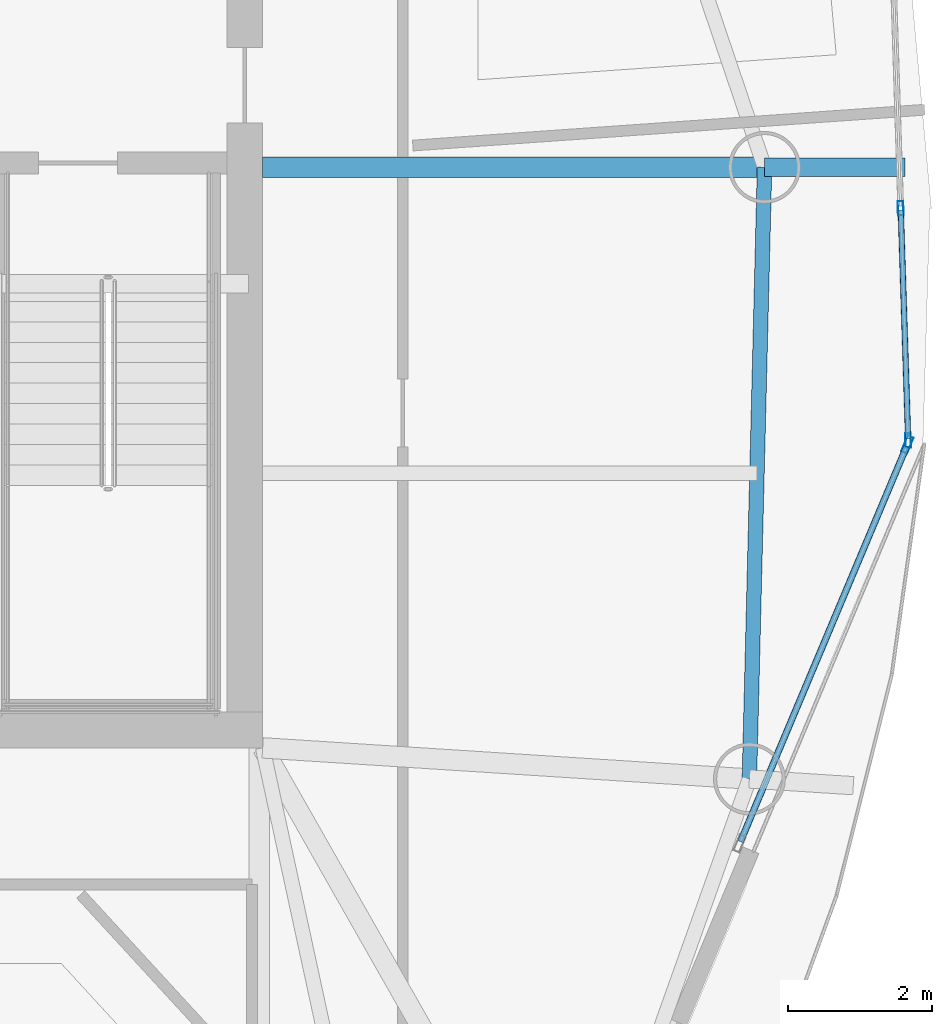
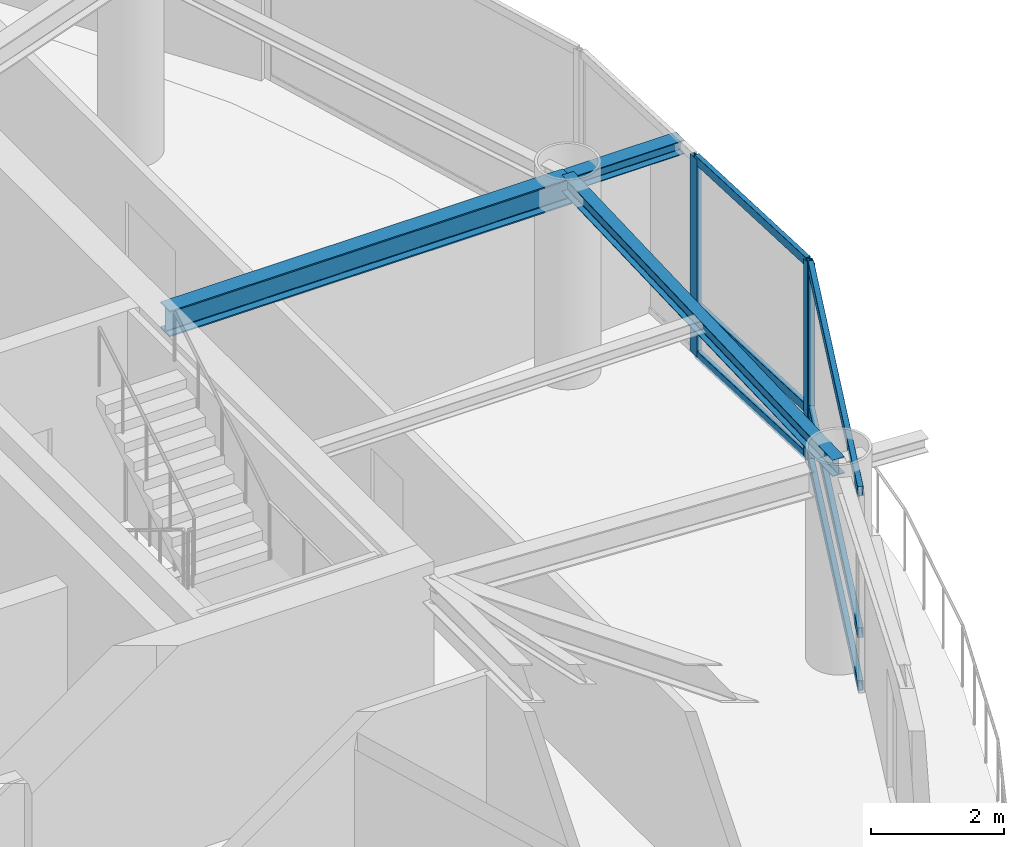
# One storey, part 9 of 23: 9 members, 3 beams, 2 elements without a shape of their own.
"""IFC4 building model written with IfcOpenShell, lengths in metres."""

from ifc_helpers import new_model, si_unit, direction, frame, origin, origin_2d, place, context, subcontext, project, spatial, hollow_rectangle, i_section, extrude, material, layer, layer_set, material_profile, profile_set, type_object, element, aggregate, save


model = new_model("IFC4")

# Units and contexts
model_context = context("Model", 3, precision=1e-05, world=origin(), true_north=direction((0.0, 1.0)))
body_context = subcontext(model_context, "Body", "Model", "MODEL_VIEW")
ifc_project = project(units=[si_unit("LENGTHUNIT", "METRE"), si_unit("AREAUNIT", "SQUARE_METRE"), si_unit("VOLUMEUNIT", "CUBIC_METRE"), si_unit("PLANEANGLEUNIT", "RADIAN"), si_unit("MASSUNIT", "GRAM", prefix="KILO")], contexts=[model_context])

# Site, building, storey
site_placement = place(None, origin())
site = spatial("IfcSite", under=ifc_project, at=site_placement, CompositionType="ELEMENT")
building_placement = place(site_placement, origin())
building = spatial("IfcBuilding", under=site, at=building_placement, Name="Bramvorn Convention Spire", CompositionType="ELEMENT")
storey_placement = place(building_placement, frame((0.0, 0.0, 295.949951171875)))
storey = spatial("IfcBuildingStorey", under=building, at=storey_placement, Name="L75", CompositionType="ELEMENT", Elevation=295.949951171875)

# Beams
ifc_material_1 = material(Name="Steel CSA G40.21 Grade 350 (350W)", Category="steel")
ifc_material_profile_1 = material_profile(ifc_material_1, i_section(OverallWidth=0.25390625, OverallDepth=0.2529296875, WebThickness=0.008544921875, FlangeThickness=0.01416015625, FilletRadius=0.011962890625, at=origin_2d()))
ifc_profile_set_1 = profile_set([ifc_material_profile_1], Name="Steel CSA G40.21 Grade 350 (350W) - W250X73")
beam_type_1 = type_object("IfcBeamType", Name="BM-W250X73", PredefinedType="BEAM", material=ifc_profile_set_1)
beam_1_placement = place(storey_placement, frame((56.234619140625, 26.62939453125, 3.49853515625), z_axis=(1.0, 0.0, 0.0), x_axis=(0.0, 1.0, 0.0)))
element("IfcBeam", 1, at=beam_1_placement, inside=storey, type_object=beam_type_1, Name="L75 slab-edge cantilever tip beam MC04", PredefinedType="BEAM", context=body_context, shape_type="SweptSolid", body=[
    extrude(i_section(OverallWidth=0.25390625, OverallDepth=0.2529296875, WebThickness=0.008544921875, FlangeThickness=0.01416015625, FilletRadius=0.011962890625, at=origin_2d()), origin(), (0.0, 0.0, 1.0), 1.952880859375),
])
ifc_material_profile_2 = material_profile(ifc_material_1, i_section(OverallWidth=0.202880859375, OverallDepth=0.302978515625, WebThickness=0.007568359375, FlangeThickness=0.01318359375, FilletRadius=0.013916015625, at=origin_2d()))
ifc_profile_set_2 = profile_set([ifc_material_profile_2], Name="Steel CSA G40.21 Grade 350 (350W) - W310X60")
beam_type_2 = type_object("IfcBeamType", Name="BM-W310X60", PredefinedType="JOIST", material=ifc_profile_set_2)
beam_2_placement = place(storey_placement, frame((56.023681640625, 18.116455078125, 3.4736328125), z_axis=(0.024770853371, 0.999693155335, 0.0), x_axis=(-0.999693155335, 0.024770853371, 0.0)))
element("IfcBeam", 2, at=beam_2_placement, inside=storey, type_object=beam_type_2, Name="L75 mega-column ring beam 03", PredefinedType="JOIST", context=body_context, shape_type="SweptSolid", body=[
    extrude(i_section(OverallWidth=0.202880859375, OverallDepth=0.302978515625, WebThickness=0.007568359375, FlangeThickness=0.01318359375, FilletRadius=0.013916015625, at=origin_2d()), origin(), (0.0, 0.0, 1.0), 8.515625),
])
ifc_material_profile_3 = material_profile(ifc_material_1, i_section(OverallWidth=0.283935546875, OverallDepth=0.47607421875, WebThickness=0.014892578125, FlangeThickness=0.02392578125, FilletRadius=0.01806640625, at=origin_2d()))
ifc_profile_set_3 = profile_set([ifc_material_profile_3], Name="Steel CSA G40.21 Grade 350 (350W) - W460X158")
beam_type_3 = type_object("IfcBeamType", Name="BM-W460X158", PredefinedType="SPANDREL", material=ifc_profile_set_3)
beam_3_placement = place(storey_placement, frame((49.25, 26.62939453125, 3.386962890625), z_axis=(1.0, 0.0, 0.0), x_axis=(0.0, 1.0, 0.0)))
element("IfcBeam", 3, at=beam_3_placement, inside=storey, type_object=beam_type_3, Name="L75 radial floor girder MC04", PredefinedType="SPANDREL", context=body_context, shape_type="SweptSolid", body=[
    extrude(i_section(OverallWidth=0.283935546875, OverallDepth=0.47607421875, WebThickness=0.014892578125, FlangeThickness=0.02392578125, FilletRadius=0.01806640625, at=origin_2d()), origin(), (0.0, 0.0, 1.0), 6.984619140625),
])

# Curtain wall, members
ifc_material_2 = material(Name="Anodised Bronze Unitised Curtain Wall", Category="aluminium")
ifc_layer_1 = layer(ifc_material_2, 0.179931640625)
ifc_layer_set_1 = layer_set([ifc_layer_1], Name="Anodised Bronze Unitised Curtain Wall - CW-OFF-FRIT")
curtain_wall_type_1 = type_object("IfcCurtainWallType", Name="CW-OFF-FRIT", PredefinedType="USERDEFINED", material=ifc_layer_set_1)
curtain_wall_1_placement = place(storey_placement, origin())
curtain_wall_1 = element("IfcCurtainWall", 4, at=curtain_wall_1_placement, inside=storey, type_object=curtain_wall_type_1, Name="L75 fritted glass curtain wall 05", ObjectType="UNITISED CURTAIN WALL", PredefinedType="USERDEFINED")
ifc_material_3 = material(Name="Anodised Bronze Aluminium 6063-T6", Category="aluminium")
ifc_material_profile_4 = material_profile(ifc_material_3, hollow_rectangle(XDim=0.080078125, YDim=0.199951171875, WallThickness=0.00390625, InnerFilletRadius=0.0009765625, OuterFilletRadius=0.00390625, at=origin_2d()))
ifc_profile_set_4 = profile_set([ifc_material_profile_4], Name="Anodised Bronze Aluminium 6063-T6 - CWM80X200")
member_type_1 = type_object("IfcMemberType", Name="CW-MUL-180", PredefinedType="MULLION", material=ifc_profile_set_4)
member_1_placement = place(storey_placement, frame((58.129638671875, 26.059326171875, 0.0), z_axis=(0.0, 0.0, 1.0), x_axis=(0.999483136292, 0.032147476854, 0.0)))
member_1 = element("IfcMember", 5, at=member_1_placement, type_object=member_type_1, Name="CW3 mullion 2", PredefinedType="MULLION", context=body_context, shape_type="SweptSolid", body=[
    extrude(hollow_rectangle(XDim=0.080078125, YDim=0.199951171875, WallThickness=0.00390625, InnerFilletRadius=0.0009765625, OuterFilletRadius=0.00390625, at=origin_2d()), origin(), (0.0, 0.0, 1.0), 3.625),
])
member_2_placement = place(storey_placement, frame((58.233642578125, 22.827880859375, 0.0), z_axis=(0.0, 0.0, 1.0), x_axis=(0.999483136292, 0.032147476854, 0.0)))
member_2 = element("IfcMember", 6, at=member_2_placement, type_object=member_type_1, Name="CW3 mullion 3", PredefinedType="MULLION", context=body_context, shape_type="SweptSolid", body=[
    extrude(hollow_rectangle(XDim=0.080078125, YDim=0.199951171875, WallThickness=0.00390625, InnerFilletRadius=0.0009765625, OuterFilletRadius=0.00390625, at=origin_2d()), origin(), (0.0, 0.0, 1.0), 3.625),
])

# Curtain wall, member
ifc_layer_2 = layer(ifc_material_2, 0.219970703125)
ifc_layer_set_2 = layer_set([ifc_layer_2], Name="Anodised Bronze Unitised Curtain Wall - CW-SKYGARDEN")
curtain_wall_type_2 = type_object("IfcCurtainWallType", Name="CW-SKYGARDEN", PredefinedType="USERDEFINED", material=ifc_layer_set_2)
curtain_wall_2_placement = place(storey_placement, origin())
curtain_wall_2 = element("IfcCurtainWall", 7, at=curtain_wall_2_placement, inside=storey, type_object=curtain_wall_type_2, Name="L75 Sky Garden glazed facade 04", ObjectType="WINTER GARDEN GLAZING", PredefinedType="USERDEFINED")
ifc_material_profile_5 = material_profile(ifc_material_3, hollow_rectangle(XDim=0.090087890625, YDim=0.239990234375, WallThickness=0.00439453125, InnerFilletRadius=0.0009765625, OuterFilletRadius=0.00439453125, at=origin_2d()))
ifc_profile_set_5 = profile_set([ifc_material_profile_5], Name="Anodised Bronze Aluminium 6063-T6 - CWM90X240")
member_type_2 = type_object("IfcMemberType", Name="CW-MUL-220", PredefinedType="MULLION", material=ifc_profile_set_5)
member_3_placement = place(storey_placement, frame((58.222900390625, 22.770263671875, 0.0), z_axis=(0.0, 0.0, 1.0), x_axis=(0.921819691274, -0.38761895823, 0.0)))
member_3 = element("IfcMember", 8, at=member_3_placement, type_object=member_type_2, Name="CW4 mullion 1", PredefinedType="MULLION", context=body_context, shape_type="SweptSolid", body=[
    extrude(hollow_rectangle(XDim=0.090087890625, YDim=0.239990234375, WallThickness=0.00439453125, InnerFilletRadius=0.0009765625, OuterFilletRadius=0.00439453125, at=origin_2d()), origin(), (0.0, 0.0, 1.0), 3.625),
])

# Member
ifc_material_profile_6 = material_profile(ifc_material_3, hollow_rectangle(XDim=0.080078125, YDim=0.159912109375, WallThickness=0.00390625, InnerFilletRadius=0.0009765625, OuterFilletRadius=0.00390625, at=origin_2d()))
ifc_profile_set_6 = profile_set([ifc_material_profile_6], Name="Anodised Bronze Aluminium 6063-T6 - CWT80X160")
member_type_3 = type_object("IfcMemberType", Name="CW-TRN-150", PredefinedType="USERDEFINED", material=ifc_profile_set_6)
member_4_placement = place(storey_placement, frame((58.130615234375, 26.029296875, 0.030029296875), z_axis=(0.032161951987, -0.999482670607, 0.0), x_axis=(0.999482670607, 0.032161951987, 0.0)))
member_4 = element("IfcMember", 9, at=member_4_placement, type_object=member_type_3, Name="CW3 transom 2.1", ObjectType="TRANSOM", PredefinedType="USERDEFINED", context=body_context, shape_type="SweptSolid", body=[
    extrude(hollow_rectangle(XDim=0.080078125, YDim=0.159912109375, WallThickness=0.00390625, InnerFilletRadius=0.0009765625, OuterFilletRadius=0.00390625, at=origin_2d()), origin(), (0.0, 0.0, 1.0), 3.173095703125),
])

member_5_placement = place(storey_placement, frame((58.130615234375, 26.029296875, 0.900146484375), z_axis=(0.032161951987, -0.999482670607, 0.0), x_axis=(0.999482670607, 0.032161951987, 0.0)))
member_5 = element("IfcMember", 10, at=member_5_placement, type_object=member_type_3, Name="CW3 transom 2.2", ObjectType="TRANSOM", PredefinedType="USERDEFINED", context=body_context, shape_type="SweptSolid", body=[
    extrude(hollow_rectangle(XDim=0.080078125, YDim=0.159912109375, WallThickness=0.00390625, InnerFilletRadius=0.0009765625, OuterFilletRadius=0.00390625, at=origin_2d()), origin(), (0.0, 0.0, 1.0), 3.173095703125),
])

member_6_placement = place(storey_placement, frame((58.130615234375, 26.029296875, 3.594970703125), z_axis=(0.032161951987, -0.999482670607, 0.0), x_axis=(0.999482670607, 0.032161951987, 0.0)))
member_6 = element("IfcMember", 11, at=member_6_placement, type_object=member_type_3, Name="CW3 transom 2.3", ObjectType="TRANSOM", PredefinedType="USERDEFINED", context=body_context, shape_type="SweptSolid", body=[
    extrude(hollow_rectangle(XDim=0.080078125, YDim=0.159912109375, WallThickness=0.00390625, InnerFilletRadius=0.0009765625, OuterFilletRadius=0.00390625, at=origin_2d()), origin(), (0.0, 0.0, 1.0), 3.173095703125),
])

aggregate(curtain_wall_1, [member_1, member_2, member_4, member_5, member_6])

ifc_material_profile_7 = material_profile(ifc_material_3, hollow_rectangle(XDim=0.090087890625, YDim=0.179931640625, WallThickness=0.00439453125, InnerFilletRadius=0.0009765625, OuterFilletRadius=0.00439453125, at=origin_2d()))
ifc_profile_set_7 = profile_set([ifc_material_profile_7], Name="Anodised Bronze Aluminium 6063-T6 - CWT90X180")
member_type_4 = type_object("IfcMemberType", Name="CW-TRN-180", PredefinedType="USERDEFINED", material=ifc_profile_set_7)
member_7_placement = place(storey_placement, frame((58.21142578125, 22.74267578125, 0.030029296875), z_axis=(-0.387625010684, -0.921817146235, 0.0), x_axis=(0.921817146235, -0.387625010684, 0.0)))
member_7 = element("IfcMember", 12, at=member_7_placement, type_object=member_type_4, Name="CW4 transom 1.1", ObjectType="TRANSOM", PredefinedType="USERDEFINED", context=body_context, shape_type="SweptSolid", body=[
    extrude(hollow_rectangle(XDim=0.090087890625, YDim=0.179931640625, WallThickness=0.00439453125, InnerFilletRadius=0.0009765625, OuterFilletRadius=0.00439453125, at=origin_2d()), origin(), (0.0, 0.0, 1.0), 5.96337890625),
])

member_8_placement = place(storey_placement, frame((58.21142578125, 22.74267578125, 1.0), z_axis=(-0.387625010684, -0.921817146235, 0.0), x_axis=(0.921817146235, -0.387625010684, 0.0)))
member_8 = element("IfcMember", 13, at=member_8_placement, type_object=member_type_4, Name="CW4 transom 1.2", ObjectType="TRANSOM", PredefinedType="USERDEFINED", context=body_context, shape_type="SweptSolid", body=[
    extrude(hollow_rectangle(XDim=0.090087890625, YDim=0.179931640625, WallThickness=0.00439453125, InnerFilletRadius=0.0009765625, OuterFilletRadius=0.00439453125, at=origin_2d()), origin(), (0.0, 0.0, 1.0), 5.96337890625),
])

member_9_placement = place(storey_placement, frame((58.21142578125, 22.74267578125, 3.594970703125), z_axis=(-0.387625010684, -0.921817146235, 0.0), x_axis=(0.921817146235, -0.387625010684, 0.0)))
member_9 = element("IfcMember", 14, at=member_9_placement, type_object=member_type_4, Name="CW4 transom 1.3", ObjectType="TRANSOM", PredefinedType="USERDEFINED", context=body_context, shape_type="SweptSolid", body=[
    extrude(hollow_rectangle(XDim=0.090087890625, YDim=0.179931640625, WallThickness=0.00439453125, InnerFilletRadius=0.0009765625, OuterFilletRadius=0.00439453125, at=origin_2d()), origin(), (0.0, 0.0, 1.0), 5.96337890625),
])

aggregate(curtain_wall_2, [member_3, member_7, member_8, member_9])

save(model, "model.ifc")
